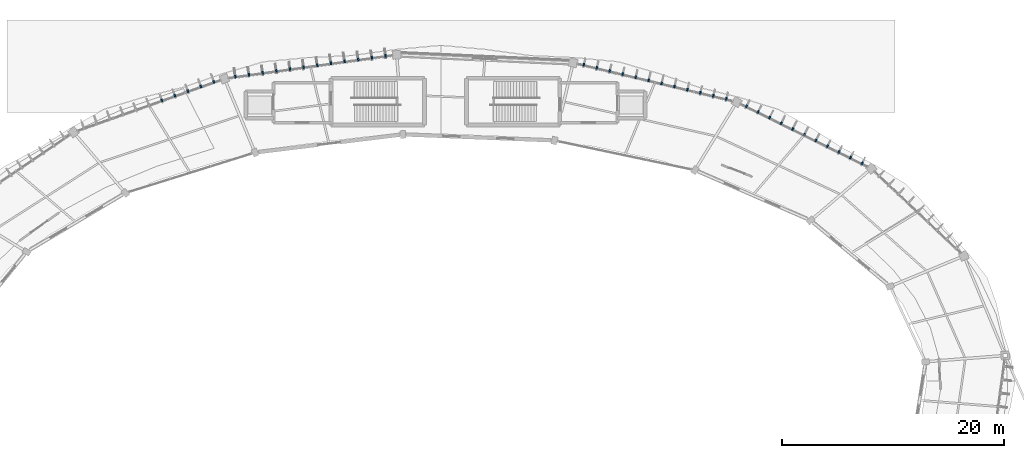
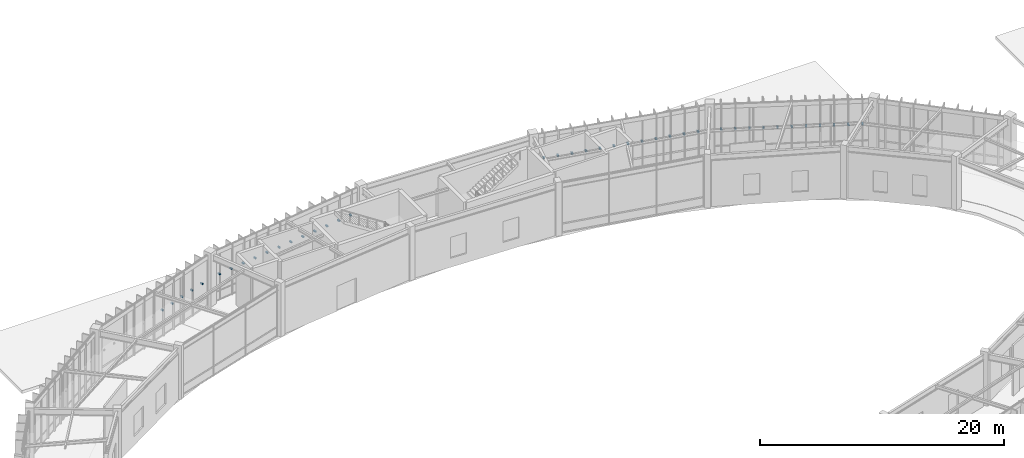
# One storey, part 141 of 157: 40 discrete accessories.
"""IFC4 building model written with IfcOpenShell, lengths in metres."""

from ifc_helpers import new_model, si_unit, direction, frame, origin, origin_2d, place, context, subcontext, project, spatial, rectangle, extrude, material, type_object, element, save


model = new_model("IFC4")

# Units and contexts
model_context = context("Model", 3, precision=1e-05, world=origin(), true_north=direction((0.0, 1.0)))
body_context = subcontext(model_context, "Body", "Model", "MODEL_VIEW")
ifc_project = project(units=[si_unit("LENGTHUNIT", "METRE"), si_unit("AREAUNIT", "SQUARE_METRE"), si_unit("VOLUMEUNIT", "CUBIC_METRE"), si_unit("PLANEANGLEUNIT", "RADIAN"), si_unit("MASSUNIT", "GRAM", prefix="KILO"), si_unit("THERMODYNAMICTEMPERATUREUNIT", "KELVIN"), si_unit("POWERUNIT", "WATT")], contexts=[model_context])

# Site, building, storey
site_placement = place(None, origin())
site = spatial("IfcSite", under=ifc_project, at=site_placement, CompositionType="ELEMENT")
building_placement = place(site_placement, origin())
building = spatial("IfcBuilding", under=site, at=building_placement, Name="Darbajah Civic Hall", CompositionType="ELEMENT")
storey_placement = place(building_placement, origin())
storey = spatial("IfcBuildingStorey", under=building, at=storey_placement, Name="L00", CompositionType="ELEMENT", Elevation=0.0)

# Discrete accessories
ifc_material = material(Name="Stainless Steel S355JR", Category="steel")
discrete_accessory_type = type_object("IfcDiscreteAccessoryType", Name="Stainless Facade Support Bracket", PredefinedType="BRACKET", material=ifc_material)
for number, where, z_axis, x_axis, name in (
    (1, (127.048583984375, 109.436767578125, 2.490234375), (0.0, 0.0, 1.0), (0.442914717678, 0.89656374724, 0.0), "L00 shading fin bracket 02-1"),
    (2, (126.0068359375, 109.951416015625, 2.490234375), (0.0, 0.0, 1.0), (0.442914717678, 0.89656374724, 0.0), "L00 shading fin bracket 02-2"),
    (3, (124.96533203125, 110.4658203125, 2.490234375), (0.0, 0.0, 1.0), (0.442914717678, 0.89656374724, 0.0), "L00 shading fin bracket 02-3"),
    (4, (123.923828125, 110.98046875, 2.490234375), (0.0, 0.0, 1.0), (0.442914717678, 0.89656374724, 0.0), "L00 shading fin bracket 02-4"),
    (5, (122.882080078125, 111.4951171875, 2.490234375), (0.0, 0.0, 1.0), (0.442914717678, 0.89656374724, 0.0), "L00 shading fin bracket 02-5"),
    (6, (121.840576171875, 112.009521484375, 2.490234375), (0.0, 0.0, 1.0), (0.442914717678, 0.89656374724, 0.0), "L00 shading fin bracket 02-6"),
    (7, (120.799072265625, 112.524169921875, 2.490234375), (0.0, 0.0, 1.0), (0.442914717678, 0.89656374724, 0.0), "L00 shading fin bracket 02-7"),
    (8, (119.757568359375, 113.038818359375, 2.490234375), (0.0, 0.0, 1.0), (0.442914717678, 0.89656374724, 0.0), "L00 shading fin bracket 02-8"),
    (9, (118.7158203125, 113.55322265625, 2.490234375), (0.0, 0.0, 1.0), (0.442914717678, 0.89656374724, 0.0), "L00 shading fin bracket 02-9"),
    (10, (117.67431640625, 114.06787109375, 2.490234375), (0.0, 0.0, 1.0), (0.442914717678, 0.89656374724, 0.0), "L00 shading fin bracket 02-10"),
    (11, (116.6328125, 114.58251953125, 2.490234375), (0.0, 0.0, 1.0), (0.442914717678, 0.89656374724, 0.0), "L00 shading fin bracket 02-11"),
    (12, (114.81103515625, 115.239013671875, 2.490234375), (0.0, 0.0, 1.0), (0.232936200179, 0.972492018808, 0.0), "L00 shading fin bracket 03-1"),
    (13, (113.643798828125, 115.5185546875, 2.490234375), (0.0, 0.0, 1.0), (0.232936200179, 0.972492018808, 0.0), "L00 shading fin bracket 03-2"),
    (14, (112.476318359375, 115.79833984375, 2.490234375), (0.0, 0.0, 1.0), (0.232936200179, 0.972492018808, 0.0), "L00 shading fin bracket 03-3"),
    (15, (111.30908203125, 116.077880859375, 2.490234375), (0.0, 0.0, 1.0), (0.232936200179, 0.972492018808, 0.0), "L00 shading fin bracket 03-4"),
    (16, (110.1416015625, 116.357666015625, 2.490234375), (0.0, 0.0, 1.0), (0.232936200179, 0.972492018808, 0.0), "L00 shading fin bracket 03-5"),
    (17, (108.97412109375, 116.637451171875, 2.490234375), (0.0, 0.0, 1.0), (0.232936200179, 0.972492018808, 0.0), "L00 shading fin bracket 03-6"),
    (18, (107.806884765625, 116.9169921875, 2.490234375), (0.0, 0.0, 1.0), (0.232936200179, 0.972492018808, 0.0), "L00 shading fin bracket 03-7"),
    (19, (106.639404296875, 117.19677734375, 2.490234375), (0.0, 0.0, 1.0), (0.232936200179, 0.972492018808, 0.0), "L00 shading fin bracket 03-8"),
    (20, (105.47216796875, 117.4765625, 2.490234375), (0.0, 0.0, 1.0), (0.232936200179, 0.972492018808, 0.0), "L00 shading fin bracket 03-9"),
    (21, (104.3046875, 117.756103515625, 2.490234375), (0.0, 0.0, 1.0), (0.232936200179, 0.972492018808, 0.0), "L00 shading fin bracket 03-10"),
    (22, (103.13720703125, 118.035888671875, 2.490234375), (0.0, 0.0, 1.0), (0.232936200179, 0.972492018808, 0.0), "L00 shading fin bracket 03-11"),
    (23, (101.969970703125, 118.315673828125, 2.490234375), (0.0, 0.0, 1.0), (0.232936200179, 0.972492018808, 0.0), "L00 shading fin bracket 03-12"),
    (24, (84.1015625, 119.131103515625, 2.490234375), (0.0, 0.0, 1.0), (-0.137617420457, 0.990485459553, 0.0), "L00 shading fin bracket 05-1"),
    (25, (82.870849609375, 118.960205078125, 2.490234375), (0.0, 0.0, 1.0), (-0.137617420457, 0.990485459553, 0.0), "L00 shading fin bracket 05-2"),
    (26, (81.64013671875, 118.789306640625, 2.490234375), (0.0, 0.0, 1.0), (-0.137617420457, 0.990485459553, 0.0), "L00 shading fin bracket 05-3"),
    (27, (80.409423828125, 118.618408203125, 2.490234375), (0.0, 0.0, 1.0), (-0.137617420457, 0.990485459553, 0.0), "L00 shading fin bracket 05-4"),
    (28, (79.1787109375, 118.447509765625, 2.490234375), (0.0, 0.0, 1.0), (-0.137617420457, 0.990485459553, 0.0), "L00 shading fin bracket 05-5"),
    (29, (77.947998046875, 118.276611328125, 2.490234375), (0.0, 0.0, 1.0), (-0.137617420457, 0.990485459553, 0.0), "L00 shading fin bracket 05-6"),
    (30, (76.71728515625, 118.105712890625, 2.490234375), (0.0, 0.0, 1.0), (-0.137617420457, 0.990485459553, 0.0), "L00 shading fin bracket 05-7"),
    (31, (75.486572265625, 117.934814453125, 2.490234375), (0.0, 0.0, 1.0), (-0.137617420457, 0.990485459553, 0.0), "L00 shading fin bracket 05-8"),
    (32, (74.255859375, 117.763916015625, 2.490234375), (0.0, 0.0, 1.0), (-0.137617420457, 0.990485459553, 0.0), "L00 shading fin bracket 05-9"),
    (33, (73.025146484375, 117.593017578125, 2.490234375), (0.0, 0.0, 1.0), (-0.137617420457, 0.990485459553, 0.0), "L00 shading fin bracket 05-10"),
    (34, (71.794189453125, 117.422119140625, 2.490234375), (0.0, 0.0, 1.0), (-0.137617420457, 0.990485459553, 0.0), "L00 shading fin bracket 05-11"),
    (35, (70.563720703125, 117.251220703125, 2.490234375), (0.0, 0.0, 1.0), (-0.137617420457, 0.990485459553, 0.0), "L00 shading fin bracket 05-12"),
    (36, (68.62158203125, 116.777099609375, 2.490234375), (0.0, 0.0, 1.0), (-0.334135882844, 0.94252491309, 0.0), "L00 shading fin bracket 06-1"),
    (37, (67.449462890625, 116.36181640625, 2.490234375), (0.0, 0.0, 1.0), (-0.334135882844, 0.94252491309, 0.0), "L00 shading fin bracket 06-2"),
    (38, (66.277099609375, 115.9462890625, 2.490234375), (0.0, 0.0, 1.0), (-0.334135882844, 0.94252491309, 0.0), "L00 shading fin bracket 06-3"),
    (39, (65.10498046875, 115.53076171875, 2.490234375), (0.0, 0.0, 1.0), (-0.334135882844, 0.94252491309, 0.0), "L00 shading fin bracket 06-4"),
    (40, (63.932861328125, 115.115234375, 2.490234375), (0.0, 0.0, 1.0), (-0.334135882844, 0.94252491309, 0.0), "L00 shading fin bracket 06-5"),
):
    element("IfcDiscreteAccessory", number, at=place(storey_placement, frame(where, z_axis=z_axis, x_axis=x_axis)), inside=storey, type_object=discrete_accessory_type, Name=name, PredefinedType="BRACKET", context=body_context, shape_type="SweptSolid", body=[
        extrude(rectangle(XDim=0.260009765625, YDim=0.139892578125, at=origin_2d()), origin(), (0.0, 0.0, 1.0), 0.139892578125),
    ])

save(model, "model.ifc")
